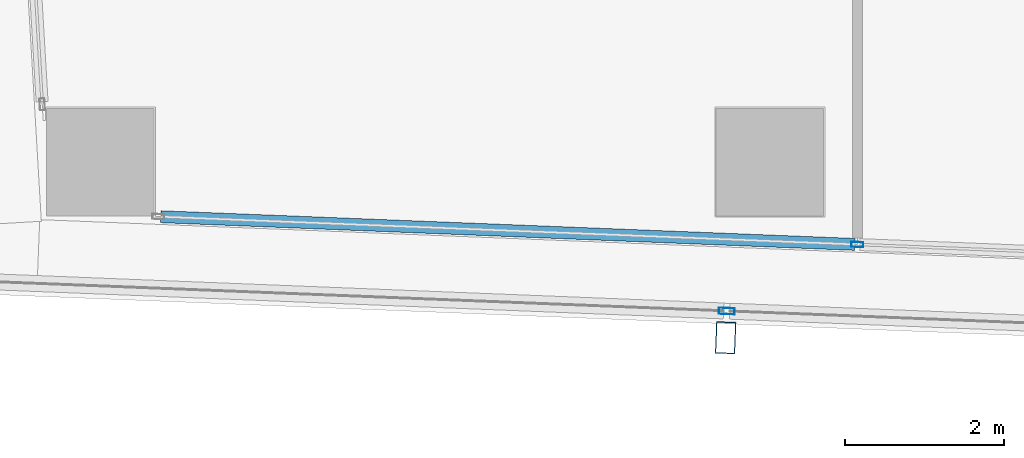
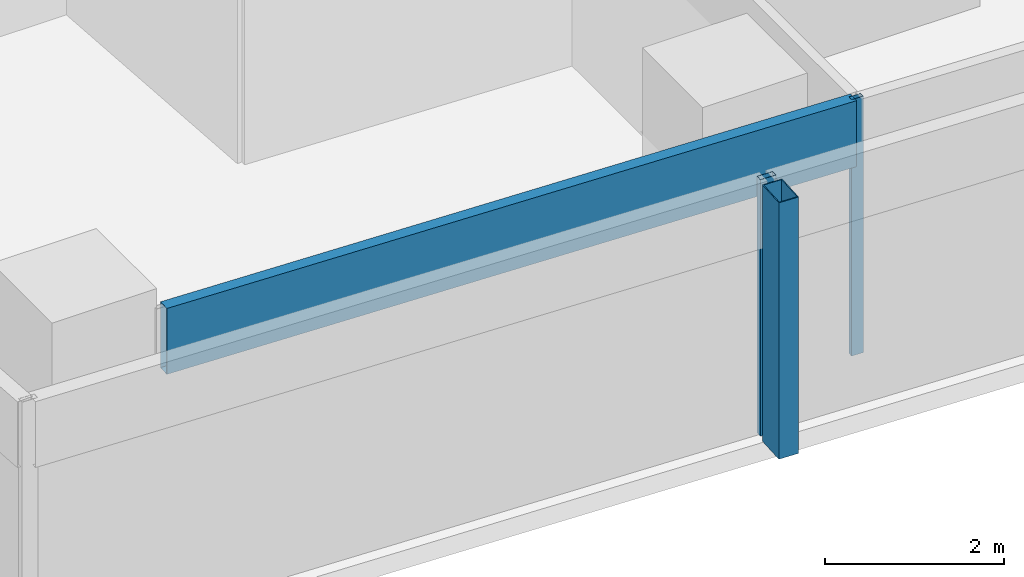
# One storey, part 3 of 39: 4 members, 2 elements without a shape of their own.
"""IFC4 building model written with IfcOpenShell, lengths in metres."""

from ifc_helpers import new_model, si_unit, direction, frame, origin, origin_2d, place, context, subcontext, project, spatial, hollow_rectangle, extrude, material, material_profile, profile_set, type_object, element, aggregate, save


model = new_model("IFC4")

# Units and contexts
model_context = context("Model", 3, precision=1e-05, world=origin(), true_north=direction((0.0, 1.0)))
body_context = subcontext(model_context, "Body", "Model", "MODEL_VIEW")
ifc_project = project(units=[si_unit("LENGTHUNIT", "METRE"), si_unit("AREAUNIT", "SQUARE_METRE"), si_unit("VOLUMEUNIT", "CUBIC_METRE"), si_unit("PLANEANGLEUNIT", "RADIAN"), si_unit("MASSUNIT", "GRAM", prefix="KILO")], contexts=[model_context])

# Site, building, storey
site_placement = place(None, origin())
site = spatial("IfcSite", under=ifc_project, at=site_placement, CompositionType="ELEMENT")
building_placement = place(site_placement, origin())
building = spatial("IfcBuilding", under=site, at=building_placement, Name="Rekha Terrace Tower", CompositionType="ELEMENT")
storey_placement = place(building_placement, frame((0.0, 0.0, 225.199951171875)))
storey = spatial("IfcBuildingStorey", under=building, at=storey_placement, Name="L57", CompositionType="ELEMENT", Elevation=225.199951171875)

# Curtain wall, member
ifc_material_1 = material(Name="Aluminium framing", Category="aluminium")
curtain_wall_type_1 = type_object("IfcCurtainWallType", Name="CW2 double skin outer glazing", PredefinedType="USERDEFINED", material=ifc_material_1)
curtain_wall_1_placement = place(storey_placement, origin())
curtain_wall_1 = element("IfcCurtainWall", 1, at=curtain_wall_1_placement, inside=storey, type_object=curtain_wall_type_1, Name="CW2 double skin outer glazing", ObjectType="DOUBLE SKIN OUTER GLAZING", PredefinedType="USERDEFINED")
ifc_material_2 = material(Name="Steel S355 with fluorocarbon finish", Category="steel")
ifc_material_profile_1 = material_profile(ifc_material_2, hollow_rectangle(XDim=0.25, YDim=0.39990234375, WallThickness=0.012451171875, at=origin_2d()), Name="RHS400x250x12.5")
ifc_profile_set_1 = profile_set([ifc_material_profile_1], Name="Steel S355 with fluorocarbon finish")
member_type_1 = type_object("IfcMemberType", Name="BL1 facade blade RHS 400 x 250", PredefinedType="USERDEFINED", material=ifc_profile_set_1)
member_1_placement = place(storey_placement, frame((16.24658203125, 14.595947265625, 0.0), z_axis=(0.0, 0.0, 1.0), x_axis=(0.999204797763, -0.039871946621, 0.0)))
member_1 = element("IfcMember", 2, at=member_1_placement, type_object=member_type_1, Name="Facade blade", ObjectType="FACADE BLADE", PredefinedType="USERDEFINED", context=body_context, shape_type="SweptSolid", body=[
    extrude(hollow_rectangle(XDim=0.25, YDim=0.39990234375, WallThickness=0.012451171875, at=origin_2d()), origin(), (0.0, 0.0, 1.0), 3.5),
])

# Curtain wall, members
curtain_wall_type_2 = type_object("IfcCurtainWallType", Name="CW1 double skin inner glazing", PredefinedType="USERDEFINED", material=ifc_material_1)
curtain_wall_2_placement = place(storey_placement, origin())
curtain_wall_2 = element("IfcCurtainWall", 3, at=curtain_wall_2_placement, inside=storey, type_object=curtain_wall_type_2, Name="CW1 double skin inner glazing", ObjectType="DOUBLE SKIN INNER GLAZING", PredefinedType="USERDEFINED")
ifc_material_3 = material(Name="Aluminium mullion section", Category="aluminium")
ifc_material_profile_2 = material_profile(ifc_material_3, hollow_rectangle(XDim=0.06494140625, YDim=0.14990234375, WallThickness=0.00390625, at=origin_2d()), Name="AL RHS 65x150")
ifc_profile_set_2 = profile_set([ifc_material_profile_2], Name="Aluminium mullion section")
member_type_2 = type_object("IfcMemberType", Name="CW1 mullion RHS 65 x 150", PredefinedType="MULLION", material=ifc_profile_set_2)
member_2_placement = place(storey_placement, frame((17.89892578125, 15.765869140625, 0.0), z_axis=(0.0, 0.0, 1.0), x_axis=(0.039872497061, 0.999204775798, 0.0)))
member_2 = element("IfcMember", 4, at=member_2_placement, type_object=member_type_2, Name="CW1 mullion 2", PredefinedType="MULLION", context=body_context, shape_type="SweptSolid", body=[
    extrude(hollow_rectangle(XDim=0.06494140625, YDim=0.14990234375, WallThickness=0.00390625, at=origin_2d()), origin(), (0.0, 0.0, 1.0), 3.5),
])
ifc_material_4 = material(Name="Insulated aluminium spandrel box", Category="aluminium")
ifc_material_profile_3 = material_profile(ifc_material_4, hollow_rectangle(XDim=0.14990234375, YDim=0.89990234375, WallThickness=0.0029296875, at=origin_2d()), Name="AL SPANDREL BOX 150x900")
ifc_profile_set_3 = profile_set([ifc_material_profile_3], Name="Insulated aluminium spandrel box")
member_type_3 = type_object("IfcMemberType", Name="CW1 spandrel transom 150 x 900", PredefinedType="USERDEFINED", material=ifc_profile_set_3)
member_3_placement = place(storey_placement, frame((9.15966796875, 16.11474609375, 3.050048828125), z_axis=(0.999204892499, -0.039869572443, 0.0), x_axis=(0.039869572443, 0.999204892499, 0.0)))
member_3 = element("IfcMember", 5, at=member_3_placement, type_object=member_type_3, Name="CW1 spandrel transom 1", ObjectType="TRANSOM", PredefinedType="USERDEFINED", context=body_context, shape_type="SweptSolid", body=[
    extrude(hollow_rectangle(XDim=0.14990234375, YDim=0.89990234375, WallThickness=0.0029296875, at=origin_2d()), origin(), (0.0, 0.0, 1.0), 8.713623046875),
])
aggregate(curtain_wall_2, [member_2, member_3])

# Member
ifc_material_profile_4 = material_profile(ifc_material_3, hollow_rectangle(XDim=0.080078125, YDim=0.199951171875, WallThickness=0.00390625, at=origin_2d()), Name="AL RHS 80x200")
ifc_profile_set_4 = profile_set([ifc_material_profile_4], Name="Aluminium mullion section")
member_type_4 = type_object("IfcMemberType", Name="CW2 mullion RHS 80 x 200", PredefinedType="MULLION", material=ifc_profile_set_4)
member_4_placement = place(storey_placement, frame((16.259765625, 14.9306640625, 0.0), z_axis=(0.0, 0.0, 1.0), x_axis=(0.039872497044, 0.999204775799, 0.0)))
member_4 = element("IfcMember", 6, at=member_4_placement, type_object=member_type_4, Name="CW2 mullion 2", PredefinedType="MULLION", context=body_context, shape_type="SweptSolid", body=[
    extrude(hollow_rectangle(XDim=0.080078125, YDim=0.199951171875, WallThickness=0.00390625, at=origin_2d()), origin(), (0.0, 0.0, 1.0), 3.5),
])

aggregate(curtain_wall_1, [member_4, member_1])

save(model, "model.ifc")
